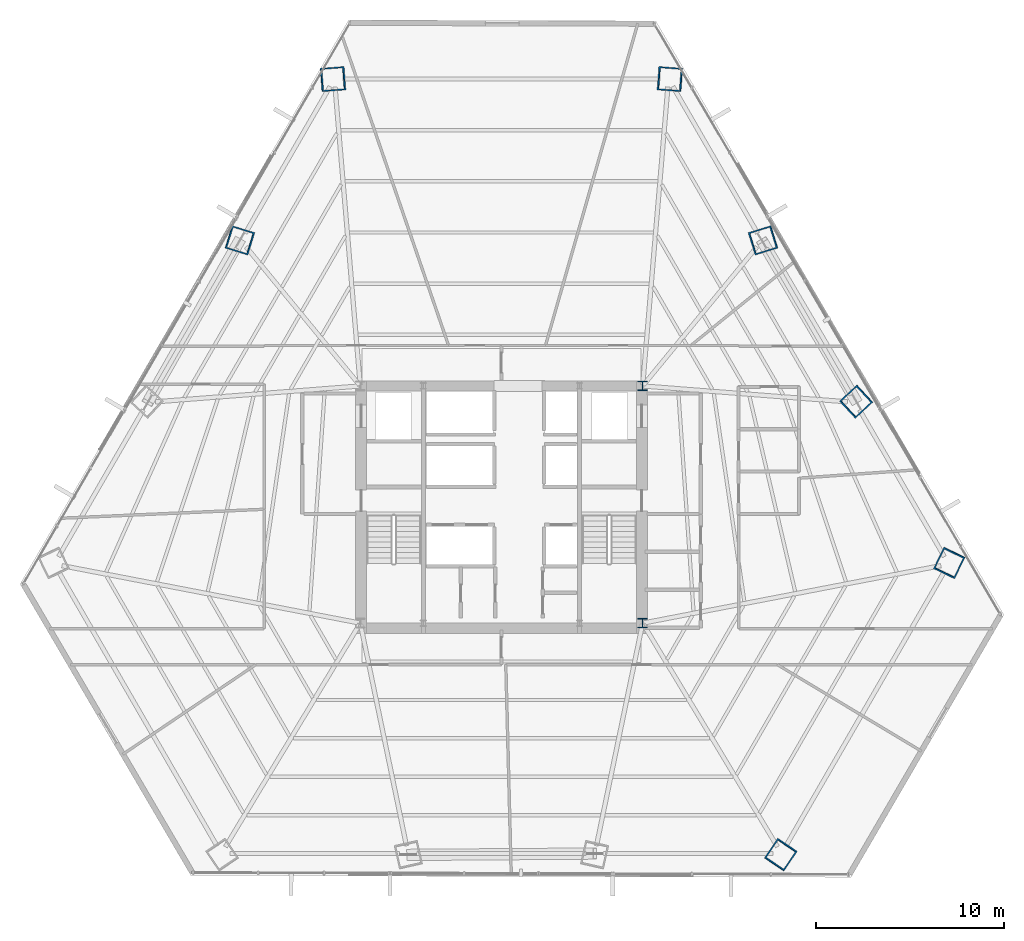
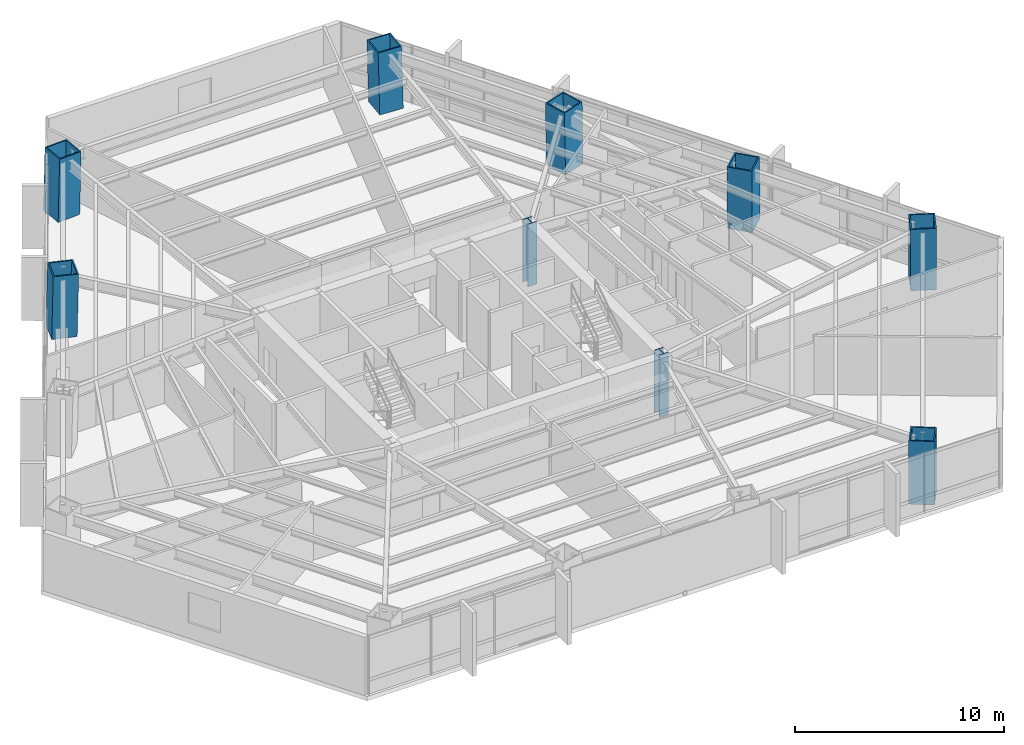
# One storey, part 2 of 33: 9 columns.
"""IFC4 building model written with IfcOpenShell, lengths in metres."""

from ifc_helpers import new_model, si_unit, direction, frame, origin, origin_2d, place, context, subcontext, project, spatial, hollow_rectangle, i_section, extrude, source, transform, mapped, material, material_profile, profile_set, type_object, type_shapes, element, save


model = new_model("IFC4")

# Units and contexts
model_context = context("Model", 3, precision=1e-05, world=origin(), true_north=direction((0.0, 1.0)))
body_context = subcontext(model_context, "Body", "Model", "MODEL_VIEW")
ifc_project = project(units=[si_unit("LENGTHUNIT", "METRE"), si_unit("AREAUNIT", "SQUARE_METRE"), si_unit("VOLUMEUNIT", "CUBIC_METRE"), si_unit("PLANEANGLEUNIT", "RADIAN"), si_unit("MASSUNIT", "GRAM", prefix="KILO")], contexts=[model_context])

# Site, building, storey
site_placement = place(None, origin())
site = spatial("IfcSite", under=ifc_project, at=site_placement, CompositionType="ELEMENT")
building_placement = place(site_placement, origin())
building = spatial("IfcBuilding", under=site, at=building_placement, Name="Caelisora Broadcast Tower", CompositionType="ELEMENT")
storey_placement = place(building_placement, frame((0.0, 0.0, 42.199951171875)))
storey = spatial("IfcBuildingStorey", under=building, at=storey_placement, Name="L10", CompositionType="ELEMENT", Elevation=42.199951171875)

# Columns
ifc_material_1 = material(Name="Steel Grade 350 L15 (AS/NZS 3678)", Category="steel")
ifc_material_profile_1 = material_profile(ifc_material_1, hollow_rectangle(XDim=1.25, YDim=1.25, WallThickness=0.070068359375, at=origin_2d()), Name="Steel Grade 350 L15 (AS/NZS 3678)")
ifc_profile_set_1 = profile_set([ifc_material_profile_1], Name="Steel Grade 350 L15 (AS/NZS 3678)")
column_type_1 = type_object("IfcColumnType", Name="MC02", PredefinedType="COLUMN", material=ifc_profile_set_1)
shared_shape_1 = source(origin(), body_context, "Body", "SweptSolid", [
    extrude(hollow_rectangle(XDim=1.25, YDim=1.25, WallThickness=0.070068359375, at=origin_2d()), origin(), (0.0, 0.0, 1.0), 3.65087890625),
])
for number, where, z_axis, x_axis, name in (
    (1, (24.09423828125, 37.736083984375, 0.0), (0.01939269685, -0.00601842316, 0.999793829693), (0.296399214872, 0.955064136811, 0.0), "L10 column MC02"),
    (2, (56.8486328125, 29.174560546875, 0.0), (-0.014912316331, -0.013775502979, 0.999793907933), (0.678553674548, -0.734550822447, 0.0), "L10 column MC02"),
    (3, (51.90576171875, 37.736083984375, 0.0), (-0.01939269685, -0.00601842316, 0.999793829693), (0.296399214872, -0.955064136811, 0.0), "L10 column MC02"),
):
    element("IfcColumn", number, at=place(storey_placement, frame(where, z_axis=z_axis, x_axis=x_axis)), inside=storey, type_object=column_type_1, Name=name, PredefinedType="COLUMN", context=body_context, shape_type="MappedRepresentation", body=[
        mapped(shared_shape_1, transform((0.0, 0.0, 0.0), scale=1.0)),
    ])
ifc_material_2 = material(Name="Steel Grade 350 (AS/NZS 3679.2)", Category="steel")
ifc_material_profile_2 = material_profile(ifc_material_2, i_section(OverallWidth=0.5, OverallDepth=0.5, WebThickness=0.028076171875, FlangeThickness=0.0400390625, at=origin_2d()), Name="Steel Grade 350 (AS/NZS 3679.2)")
ifc_profile_set_2 = profile_set([ifc_material_profile_2], Name="Steel Grade 350 (AS/NZS 3679.2)")
column_type_2 = type_object("IfcColumnType", Name="CC01", PredefinedType="COLUMN", material=ifc_profile_set_2)
shared_shape_2 = source(origin(), body_context, "Body", "SweptSolid", [
    extrude(i_section(OverallWidth=0.5, OverallDepth=0.5, WebThickness=0.028076171875, FlangeThickness=0.0400390625, at=origin_2d()), origin(), (0.0, 0.0, 1.0), 3.650146484375),
])
type_shapes(column_type_2, [shared_shape_2])
for number, where, z_axis, x_axis, name in (
    (4, (45.5, 17.39990234375, 0.0), (0.0, 0.0, 1.0), (1.0, 0.0, 0.0), "L10 column CC01"),
    (5, (45.5, 30.0, 0.0), (0.0, 0.0, 1.0), (1.0, 0.0, 0.0), "L10 column CC01"),
):
    element("IfcColumn", number, at=place(storey_placement, frame(where, z_axis=z_axis, x_axis=x_axis)), inside=storey, type_object=column_type_2, Name=name, PredefinedType="COLUMN", context=body_context, shape_type="MappedRepresentation", body=[
        mapped(shared_shape_2, transform((0.0, 0.0, 0.0), scale=1.0)),
    ])
shared_shape_3 = source(origin(), body_context, "Body", "SweptSolid", [
    extrude(hollow_rectangle(XDim=1.25, YDim=1.25, WallThickness=0.070068359375, at=origin_2d()), origin(), (0.0, 0.0, 1.0), 3.651123046875),
])
type_shapes(column_type_1, [shared_shape_1, shared_shape_3])
for number, where, z_axis, x_axis, name in (
    (6, (46.962646484375, 46.297607421875, 0.0), (-0.02387115835, 0.001805381724, 0.999713413132), (-0.075414875552, -0.997152243414, 0.0), "L10 column MC02"),
    (7, (29.037353515625, 46.297607421875, 0.0), (0.02387115835, 0.001805381724, 0.999713413132), (-0.075414875552, 0.997152243414, 0.0), "L10 column MC02"),
    (8, (52.8291015625, 5.089111328125, 0.0), (0.013440050965, 0.019859179784, 0.999712447661), (-0.828169210203, 0.560478152359, 0.0), "L10 column MC02"),
    (9, (61.791748046875, 20.613037109375, 0.0), (-0.010431098089, -0.021530856313, 0.999713766245), (0.899947055326, -0.435999194506, 0.0), "L10 column MC02"),
):
    element("IfcColumn", number, at=place(storey_placement, frame(where, z_axis=z_axis, x_axis=x_axis)), inside=storey, type_object=column_type_1, Name=name, PredefinedType="COLUMN", context=body_context, shape_type="MappedRepresentation", body=[
        mapped(shared_shape_3, transform((0.0, 0.0, 0.0), scale=1.0)),
    ])

save(model, "model.ifc")
